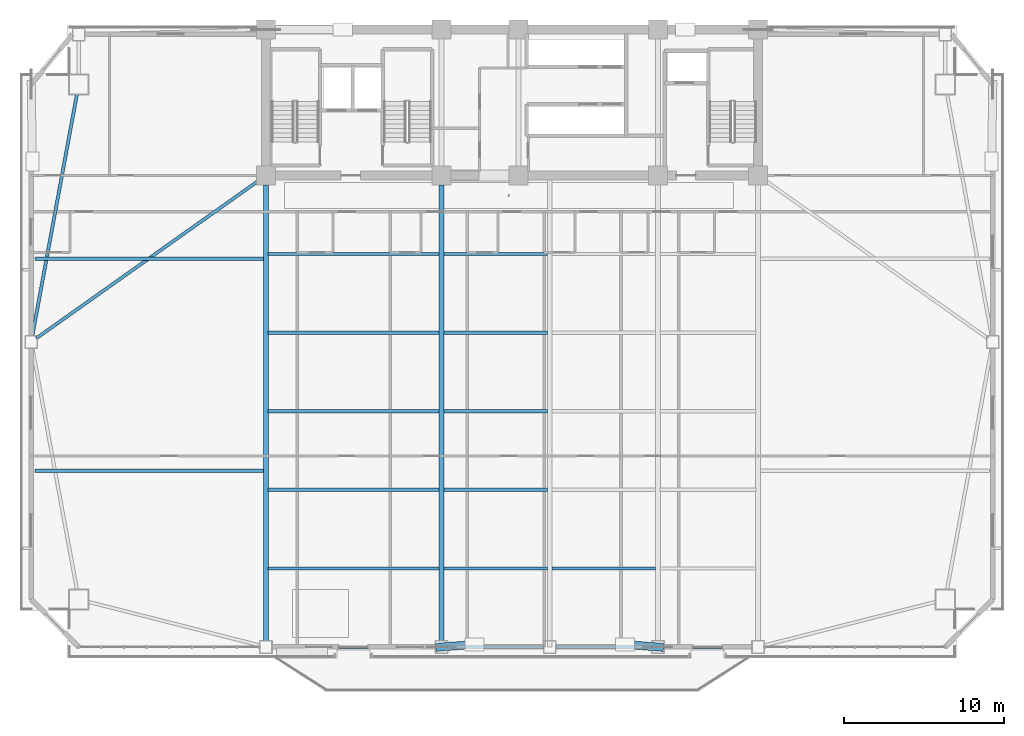
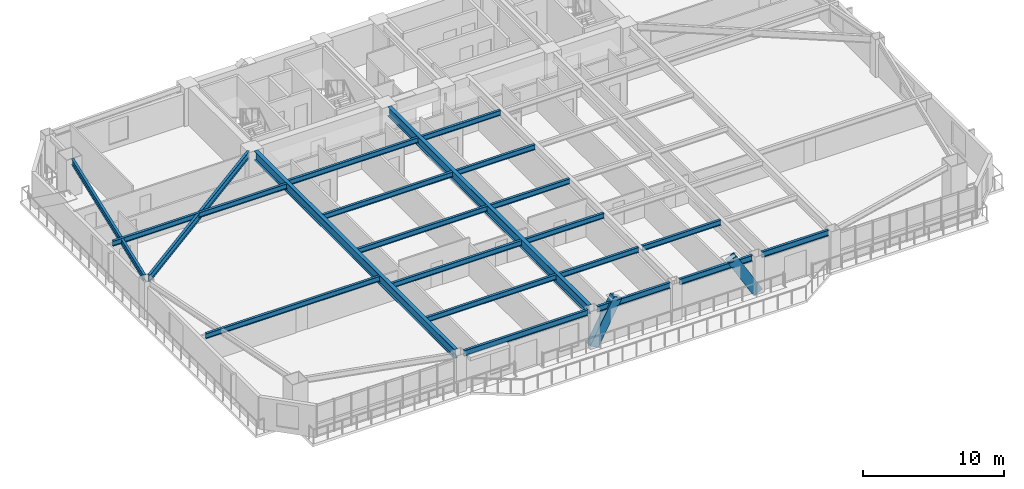
# One storey, part 3 of 17: 21 beams, 2 members.
"""IFC4 building model written with IfcOpenShell, lengths in metres."""

from ifc_helpers import new_model, si_unit, direction, frame, origin, origin_2d, place, context, subcontext, project, spatial, hollow_rectangle, i_section, extrude, source, transform, mapped, material, material_profile, profile_set, type_object, element, save


model = new_model("IFC4")

# Units and contexts
model_context = context("Model", 3, precision=1e-05, world=origin(), true_north=direction((0.0, 1.0)))
body_context = subcontext(model_context, "Body", "Model", "MODEL_VIEW")
ifc_project = project(units=[si_unit("LENGTHUNIT", "METRE"), si_unit("AREAUNIT", "SQUARE_METRE"), si_unit("VOLUMEUNIT", "CUBIC_METRE"), si_unit("PLANEANGLEUNIT", "RADIAN"), si_unit("MASSUNIT", "GRAM", prefix="KILO")], contexts=[model_context])

# Site, building, storey
site_placement = place(None, origin())
site = spatial("IfcSite", under=ifc_project, at=site_placement, CompositionType="ELEMENT")
building_placement = place(site_placement, origin())
building = spatial("IfcBuilding", under=site, at=building_placement, Name="Giltprow Tower", CompositionType="ELEMENT")
storey_placement = place(building_placement, frame((0.0, 0.0, 137.699951171875)))
storey = spatial("IfcBuildingStorey", under=building, at=storey_placement, Name="L33", CompositionType="ELEMENT", Elevation=137.699951171875)

# Beams
ifc_material_1 = material(Name="Structural steel Q355B", Category="steel")
ifc_material_profile_1 = material_profile(ifc_material_1, i_section(OverallWidth=0.199951171875, OverallDepth=0.449951171875, WebThickness=0.009033203125, FlangeThickness=0.013916015625, at=origin_2d()), Name="HN 450x200x9x14")
ifc_profile_set_1 = profile_set([ifc_material_profile_1], Name="Structural steel Q355B")
beam_type_1 = type_object("IfcBeamType", Name="BM-JOIST-HN450", PredefinedType="JOIST", material=ifc_profile_set_1)
shared_shape_1 = source(origin(), body_context, "Body", "SweptSolid", [
    extrude(i_section(OverallWidth=0.199951171875, OverallDepth=0.449951171875, WebThickness=0.009033203125, FlangeThickness=0.013916015625, at=origin_2d()), origin(), (0.0, 0.0, 1.0), 10.659912109375),
])
for number, where, z_axis, x_axis, name in (
    (1, (19.9951171875, 12.946044921875, 3.045166015625), (1.0, 0.0, 0.0), (0.0, 1.0, 0.0), "L33 Composite Floor Joist 1-1"),
    (2, (19.9951171875, 17.846923828125, 3.045166015625), (1.0, 0.0, 0.0), (0.0, 1.0, 0.0), "L33 Composite Floor Joist 2-1"),
    (3, (19.9951171875, 22.748046875, 3.045166015625), (1.0, 0.0, 0.0), (0.0, 1.0, 0.0), "L33 Composite Floor Joist 3-1"),
    (4, (19.9951171875, 27.64794921875, 3.045166015625), (1.0, 0.0, 0.0), (0.0, 1.0, 0.0), "L33 Composite Floor Joist 4-1"),
    (5, (19.9951171875, 32.549072265625, 3.045166015625), (1.0, 0.0, 0.0), (0.0, 1.0, 0.0), "L33 Composite Floor Joist 5-1"),
):
    element("IfcBeam", number, at=place(storey_placement, frame(where, z_axis=z_axis, x_axis=x_axis)), inside=storey, type_object=beam_type_1, Name=name, PredefinedType="JOIST", context=body_context, shape_type="MappedRepresentation", body=[
        mapped(shared_shape_1, transform((0.0, 0.0, 0.0), x_axis=(1.0, 0.0, 0.0), y_axis=(0.0, 1.0, 0.0), z_axis=(0.0, 0.0, 1.0), scale=1.0)),
    ])
shared_shape_2 = source(origin(), body_context, "Body", "SweptSolid", [
    extrude(i_section(OverallWidth=0.199951171875, OverallDepth=0.449951171875, WebThickness=0.009033203125, FlangeThickness=0.013916015625, at=origin_2d()), origin(), (0.0, 0.0, 1.0), 6.4599609375),
])
for number, where, z_axis, x_axis, name in (
    (6, (30.945068359375, 12.946044921875, 3.045166015625), (1.0, 0.0, 0.0), (0.0, 1.0, 0.0), "L33 Composite Floor Joist 1-2"),
    (7, (37.695068359375, 12.946044921875, 3.045166015625), (1.0, 0.0, 0.0), (0.0, 1.0, 0.0), "L33 Composite Floor Joist 1-3"),
    (8, (30.945068359375, 17.846923828125, 3.045166015625), (1.0, 0.0, 0.0), (0.0, 1.0, 0.0), "L33 Composite Floor Joist 2-2"),
    (9, (30.945068359375, 22.748046875, 3.045166015625), (1.0, 0.0, 0.0), (0.0, 1.0, 0.0), "L33 Composite Floor Joist 3-2"),
    (10, (30.945068359375, 27.64794921875, 3.045166015625), (1.0, 0.0, 0.0), (0.0, 1.0, 0.0), "L33 Composite Floor Joist 4-2"),
    (11, (30.945068359375, 32.549072265625, 3.045166015625), (1.0, 0.0, 0.0), (0.0, 1.0, 0.0), "L33 Composite Floor Joist 5-2"),
):
    element("IfcBeam", number, at=place(storey_placement, frame(where, z_axis=z_axis, x_axis=x_axis)), inside=storey, type_object=beam_type_1, Name=name, PredefinedType="JOIST", context=body_context, shape_type="MappedRepresentation", body=[
        mapped(shared_shape_2, transform((0.0, 0.0, 0.0), x_axis=(1.0, 0.0, 0.0), y_axis=(0.0, 1.0, 0.0), z_axis=(0.0, 0.0, 1.0), scale=1.0)),
    ])
shared_shape_3 = source(origin(), body_context, "Body", "SweptSolid", [
    extrude(i_section(OverallWidth=0.199951171875, OverallDepth=0.449951171875, WebThickness=0.009033203125, FlangeThickness=0.013916015625, at=origin_2d()), origin(), (0.0, 0.0, 1.0), 14.27099609375),
])
for number, where, z_axis, x_axis, name in (
    (12, (5.43408203125, 19.041015625, 3.045166015625), (1.0, 0.0, 0.0), (0.0, 1.0, 0.0), "L33 West Wing Floor Joist 1"),
    (13, (5.43408203125, 32.260986328125, 3.045166015625), (1.0, 0.0, 0.0), (0.0, 1.0, 0.0), "L33 West Wing Floor Joist 2"),
):
    element("IfcBeam", number, at=place(storey_placement, frame(where, z_axis=z_axis, x_axis=x_axis)), inside=storey, type_object=beam_type_1, Name=name, PredefinedType="JOIST", context=body_context, shape_type="MappedRepresentation", body=[
        mapped(shared_shape_3, transform((0.0, 0.0, 0.0), x_axis=(1.0, 0.0, 0.0), y_axis=(0.0, 1.0, 0.0), z_axis=(0.0, 0.0, 1.0), scale=1.0)),
    ])
ifc_material_profile_2 = material_profile(ifc_material_1, i_section(OverallWidth=0.199951171875, OverallDepth=0.5, WebThickness=0.010009765625, FlangeThickness=0.01611328125, at=origin_2d()), Name="HN 500x200x10x16")
ifc_profile_set_2 = profile_set([ifc_material_profile_2], Name="Structural steel Q355B")
beam_type_2 = type_object("IfcBeamType", Name="BM-SPAN-HN500", PredefinedType="SPANDREL", material=ifc_profile_set_2)
shared_shape_4 = source(origin(), body_context, "Body", "SweptSolid", [
    extrude(i_section(OverallWidth=0.199951171875, OverallDepth=0.5, WebThickness=0.010009765625, FlangeThickness=0.01611328125, at=origin_2d()), origin(), (0.0, 0.0, 1.0), 10.179931640625),
])
beam_1_placement = place(storey_placement, frame((20.235107421875, 8.044921875, 3.02001953125), z_axis=(1.0, 0.0, 0.0), x_axis=(0.0, 1.0, 0.0)))
element("IfcBeam", 14, at=beam_1_placement, inside=storey, type_object=beam_type_2, Name="L33 Perimeter Spandrel Beam S1-S2", PredefinedType="SPANDREL", context=body_context, shape_type="MappedRepresentation", body=[
    mapped(shared_shape_4, transform((0.0, 0.0, 0.0), x_axis=(1.0, 0.0, 0.0), y_axis=(0.0, 1.0, 0.0), z_axis=(0.0, 0.0, 1.0), scale=1.0)),
])
shared_shape_5 = source(origin(), body_context, "Body", "SweptSolid", [
    extrude(i_section(OverallWidth=0.199951171875, OverallDepth=0.5, WebThickness=0.010009765625, FlangeThickness=0.01611328125, at=origin_2d()), origin(), (0.0, 0.0, 1.0), 5.97998046875),
])
for number, where, z_axis, x_axis, name in (
    (15, (31.18505859375, 8.044921875, 3.02001953125), (1.0, 0.0, 0.0), (0.0, 1.0, 0.0), "L33 Perimeter Spandrel Beam S2-S_MID"),
    (16, (37.93505859375, 8.044921875, 3.02001953125), (1.0, 0.0, 0.0), (0.0, 1.0, 0.0), "L33 Perimeter Spandrel Beam S_MID-S3"),
):
    element("IfcBeam", number, at=place(storey_placement, frame(where, z_axis=z_axis, x_axis=x_axis)), inside=storey, type_object=beam_type_2, Name=name, PredefinedType="SPANDREL", context=body_context, shape_type="MappedRepresentation", body=[
        mapped(shared_shape_5, transform((0.0, 0.0, 0.0), x_axis=(1.0, 0.0, 0.0), y_axis=(0.0, 1.0, 0.0), z_axis=(0.0, 0.0, 1.0), scale=1.0)),
    ])
shared_shape_6 = source(origin(), body_context, "Body", "SweptSolid", [
    extrude(i_section(OverallWidth=0.199951171875, OverallDepth=0.5, WebThickness=0.010009765625, FlangeThickness=0.01611328125, at=origin_2d()), origin(), (0.0, 0.0, 1.0), 5.47998046875),
])
beam_2_placement = place(storey_placement, frame((44.68505859375, 8.044921875, 3.02001953125), z_axis=(1.0, 0.0, 0.0), x_axis=(0.0, 1.0, 0.0)))
element("IfcBeam", 17, at=beam_2_placement, inside=storey, type_object=beam_type_2, Name="L33 Perimeter Spandrel Beam S3-S4", PredefinedType="SPANDREL", context=body_context, shape_type="MappedRepresentation", body=[
    mapped(shared_shape_6, transform((0.0, 0.0, 0.0), x_axis=(1.0, 0.0, 0.0), y_axis=(0.0, 1.0, 0.0), z_axis=(0.0, 0.0, 1.0), scale=1.0)),
])
shared_shape_7 = source(origin(), body_context, "Body", "SweptSolid", [
    extrude(i_section(OverallWidth=0.199951171875, OverallDepth=0.5, WebThickness=0.010009765625, FlangeThickness=0.01611328125, at=origin_2d()), origin(), (0.0, 0.0, 1.0), 15.3134765625),
])
beam_3_placement = place(storey_placement, frame((8.06396484375, 42.510009765625, 3.02001953125), z_axis=(-0.181540600951, -0.98338345024, 0.0), x_axis=(0.98338345024, -0.181540600951, 0.0)))
element("IfcBeam", 18, at=beam_3_placement, inside=storey, type_object=beam_type_2, Name="L33 Perimeter Spandrel Beam MC_NW-W_MID", PredefinedType="SPANDREL", context=body_context, shape_type="MappedRepresentation", body=[
    mapped(shared_shape_7, transform((0.0, 0.0, 0.0), x_axis=(1.0, 0.0, 0.0), y_axis=(0.0, 1.0, 0.0), z_axis=(0.0, 0.0, 1.0), scale=1.0)),
])
ifc_material_profile_3 = material_profile(ifc_material_1, i_section(OverallWidth=0.300048828125, OverallDepth=0.800048828125, WebThickness=0.013916015625, FlangeThickness=0.02587890625, at=origin_2d()), Name="HN 800x300x14x26")
ifc_profile_set_3 = profile_set([ifc_material_profile_3], Name="Structural steel Q355B")
beam_type_3 = type_object("IfcBeamType", Name="BM-GIRD-HN800", PredefinedType="BEAM", material=ifc_profile_set_3)
shared_shape_8 = source(origin(), body_context, "Body", "SweptSolid", [
    extrude(i_section(OverallWidth=0.300048828125, OverallDepth=0.800048828125, WebThickness=0.013916015625, FlangeThickness=0.02587890625, at=origin_2d()), origin(), (0.0, 0.0, 1.0), 28.43505859375),
])
for number, where, z_axis, x_axis, name in (
    (19, (19.85009765625, 8.429931640625, 2.8701171875), (0.0, 1.0, 0.0), (-1.0, 0.0, 0.0), "L33 Primary Lease Girder S1"),
    (20, (30.800048828125, 8.429931640625, 2.8701171875), (0.0, 1.0, 0.0), (-1.0, 0.0, 0.0), "L33 Primary Lease Girder S2"),
):
    element("IfcBeam", number, at=place(storey_placement, frame(where, z_axis=z_axis, x_axis=x_axis)), inside=storey, type_object=beam_type_3, Name=name, PredefinedType="BEAM", context=body_context, shape_type="MappedRepresentation", body=[
        mapped(shared_shape_8, transform((0.0, 0.0, 0.0), x_axis=(1.0, 0.0, 0.0), y_axis=(0.0, 1.0, 0.0), z_axis=(0.0, 0.0, 1.0), scale=1.0)),
    ])
ifc_material_profile_4 = material_profile(ifc_material_1, i_section(OverallWidth=0.199951171875, OverallDepth=0.60009765625, WebThickness=0.010986328125, FlangeThickness=0.01708984375, at=origin_2d()), Name="HN 600x200x11x17")
ifc_profile_set_4 = profile_set([ifc_material_profile_4], Name="Structural steel Q355B")
beam_type_4 = type_object("IfcBeamType", Name="BM-GIRD-HN600", PredefinedType="BEAM", material=ifc_profile_set_4)
shared_shape_9 = source(origin(), body_context, "Body", "SweptSolid", [
    extrude(i_section(OverallWidth=0.199951171875, OverallDepth=0.60009765625, WebThickness=0.010986328125, FlangeThickness=0.01708984375, at=origin_2d()), origin(), (0.0, 0.0, 1.0), 16.972412109375),
])
beam_4_placement = place(storey_placement, frame((5.528076171875, 27.294921875, 2.969970703125), z_axis=(0.815738567685, 0.57842077175, 0.0), x_axis=(-0.57842077175, 0.815738567685, 0.0)))
element("IfcBeam", 21, at=beam_4_placement, inside=storey, type_object=beam_type_4, Name="L33 West Wing Primary Girder", PredefinedType="BEAM", context=body_context, shape_type="MappedRepresentation", body=[
    mapped(shared_shape_9, transform((0.0, 0.0, 0.0), x_axis=(1.0, 0.0, 0.0), y_axis=(0.0, 1.0, 0.0), z_axis=(0.0, 0.0, 1.0), scale=1.0)),
])

# Members
ifc_material_2 = material(Name="Structural steel Q420GJC", Category="steel")
ifc_material_profile_5 = material_profile(ifc_material_2, hollow_rectangle(XDim=0.5, YDim=0.800048828125, WallThickness=0.035888671875, at=origin_2d()), Name="RHS 800x500x36")
ifc_profile_set_5 = profile_set([ifc_material_profile_5], Name="Structural steel Q420GJC")
member_type = type_object("IfcMemberType", Name="MBR-MEGA-RHS800", PredefinedType="BRACE", material=ifc_profile_set_5)
shared_shape_10 = source(origin(), body_context, "Body", "SweptSolid", [
    extrude(hollow_rectangle(XDim=0.5, YDim=0.800048828125, WallThickness=0.035888671875, at=origin_2d()), origin(), (0.0, 0.0, 1.0), 4.061279296875),
])
for number, where, z_axis, x_axis, name in (
    (22, (30.800048828125, 8.044921875, 0.0), (0.505734898665, 0.039434457806, 0.861787175473), (-0.077738594715, 0.996973776431, 0.0), "L33 Chevron Mega-Brace S-L"),
    (23, (44.300048828125, 8.044921875, 0.0), (-0.505734898665, 0.039434457806, 0.861787175473), (-0.077738594715, -0.996973776431, 0.0), "L33 Chevron Mega-Brace S-R"),
):
    element("IfcMember", number, at=place(storey_placement, frame(where, z_axis=z_axis, x_axis=x_axis)), inside=storey, type_object=member_type, Name=name, PredefinedType="BRACE", context=body_context, shape_type="MappedRepresentation", body=[
        mapped(shared_shape_10, transform((0.0, 0.0, 0.0), x_axis=(1.0, 0.0, 0.0), y_axis=(0.0, 1.0, 0.0), z_axis=(0.0, 0.0, 1.0), scale=1.0)),
    ])

save(model, "model.ifc")
